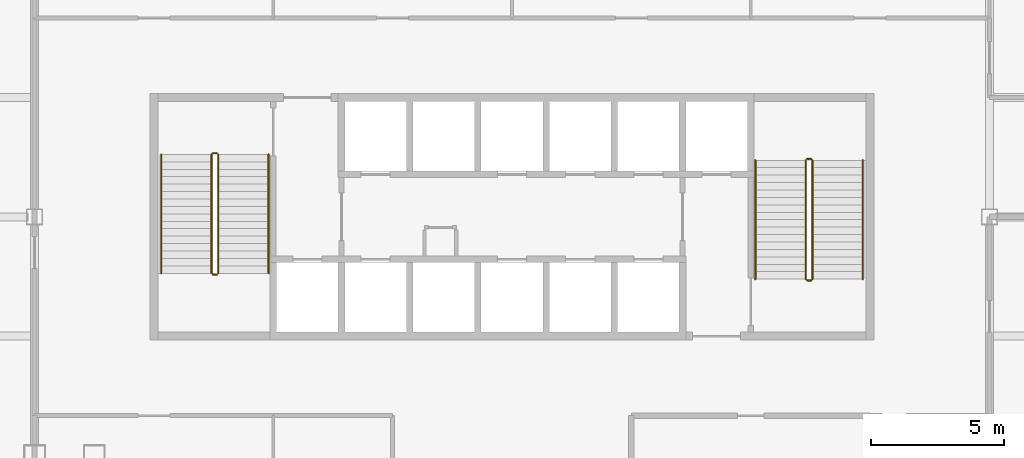
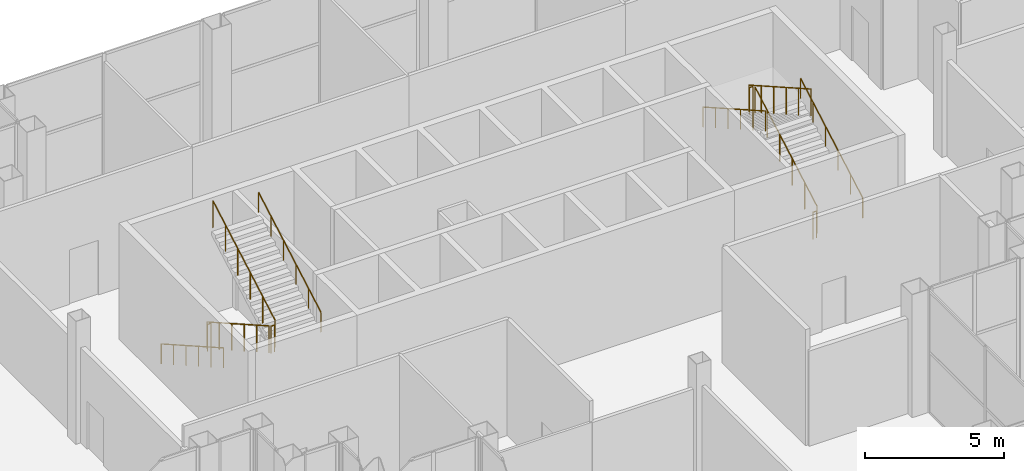
# One storey, part 18 of 18: 12 railings.
"""IFC4 building model written with IfcOpenShell, lengths in metres."""

from ifc_helpers import new_model, si_unit, direction, frame, origin, origin_2d, place, context, subcontext, project, spatial, circle, extrude, material, type_object, element, save


model = new_model("IFC4")

# Units and contexts
model_context = context("Model", 3, precision=1e-05, world=origin(), true_north=direction((0.0, 1.0)))
body_context = subcontext(model_context, "Body", "Model", "MODEL_VIEW")
ifc_project = project(units=[si_unit("LENGTHUNIT", "METRE"), si_unit("AREAUNIT", "SQUARE_METRE"), si_unit("VOLUMEUNIT", "CUBIC_METRE"), si_unit("PLANEANGLEUNIT", "RADIAN"), si_unit("MASSUNIT", "GRAM", prefix="KILO")], contexts=[model_context])

# Site, building, storey
site_placement = place(None, origin())
site = spatial("IfcSite", under=ifc_project, at=site_placement, CompositionType="ELEMENT")
building_placement = place(site_placement, origin())
building = spatial("IfcBuilding", under=site, at=building_placement, Name="Caravel Reach Hotel and Residences", CompositionType="ELEMENT")
storey_placement = place(building_placement, frame((0.0, 0.0, 145.199951171875)))
storey = spatial("IfcBuildingStorey", under=building, at=storey_placement, Name="L36", CompositionType="ELEMENT", Elevation=145.199951171875)

# Railings
ifc_material_1 = material(Name="Steel balustrade with glass infill", Category="steel")
railing_type_1 = type_object("IfcRailingType", Name="Guard 1200", PredefinedType="GUARDRAIL", material=ifc_material_1)
railing_1_placement = place(storey_placement, frame((20.175048828125, 29.35009765625, 0.158935546875)))
element("IfcRailing", 1, at=railing_1_placement, inside=storey, type_object=railing_type_1, Name="L36 ST-A stair guard 1", PredefinedType="GUARDRAIL", context=body_context, shape_type="SweptSolid", body=[
    extrude(circle(Radius=0.02392578125, at=origin_2d()), frame((0.0, 0.0, 1.17578125), z_axis=(0.0, -0.869825572089, 0.493359376256), x_axis=(1.0, 0.0, 0.0)), (0.0, 0.0, 1.0), 5.150390625),
    extrude(circle(Radius=0.02099609375, at=origin_2d()), origin(), (0.0, 0.0, 1.0), 1.15185546875),
    extrude(circle(Radius=0.02099609375, at=origin_2d()), frame((0.0, -0.89599609375, 0.50830078125)), (0.0, 0.0, 1.0), 1.15185546875),
    extrude(circle(Radius=0.02099609375, at=origin_2d()), frame((0.0, -1.7919921875, 1.016357421875)), (0.0, 0.0, 1.0), 1.15185546875),
    extrude(circle(Radius=0.02099609375, at=origin_2d()), frame((0.0, -2.68798828125, 1.524658203125)), (0.0, 0.0, 1.0), 1.15185546875),
    extrude(circle(Radius=0.02099609375, at=origin_2d()), frame((0.0, -3.583984375, 2.03271484375)), (0.0, 0.0, 1.0), 1.15185546875),
    extrude(circle(Radius=0.02099609375, at=origin_2d()), frame((0.0, -4.47998046875, 2.541015625)), (0.0, 0.0, 1.0), 1.15185546875),
])
railing_2_placement = place(storey_placement, frame((20.22509765625, 24.820068359375, 2.699951171875)))
element("IfcRailing", 2, at=railing_2_placement, inside=storey, type_object=railing_type_1, Name="L36 ST-A stair guard 2", PredefinedType="GUARDRAIL", context=body_context, shape_type="SweptSolid", body=[
    extrude(circle(Radius=0.02392578125, at=origin_2d()), frame((0.0, 0.0, 1.17578125), z_axis=(1.0, 0.0, 0.0), x_axis=(0.0, 1.0, 0.0)), (0.0, 0.0, 1.0), 0.14990234375),
    extrude(circle(Radius=0.02099609375, at=origin_2d()), origin(), (0.0, 0.0, 1.0), 1.15185546875),
    extrude(circle(Radius=0.02099609375, at=origin_2d()), frame((0.14990234375, 0.0, 0.0)), (0.0, 0.0, 1.0), 1.15185546875),
])
railing_3_placement = place(storey_placement, frame((20.425048828125, 24.8701171875, 2.85888671875)))
element("IfcRailing", 3, at=railing_3_placement, inside=storey, type_object=railing_type_1, Name="L36 ST-A stair guard 3", PredefinedType="GUARDRAIL", context=body_context, shape_type="SweptSolid", body=[
    extrude(circle(Radius=0.02392578125, at=origin_2d()), frame((0.0, 0.0, 1.17578125), z_axis=(0.0, 0.869805229919, 0.49339523914), x_axis=(-1.0, 0.0, 0.0)), (0.0, 0.0, 1.0), 5.150634765625),
    extrude(circle(Radius=0.02099609375, at=origin_2d()), origin(), (0.0, 0.0, 1.0), 1.15185546875),
    extrude(circle(Radius=0.02099609375, at=origin_2d()), frame((0.0, 0.89599609375, 0.50830078125)), (0.0, 0.0, 1.0), 1.15185546875),
    extrude(circle(Radius=0.02099609375, at=origin_2d()), frame((0.0, 1.7919921875, 1.0166015625)), (0.0, 0.0, 1.0), 1.15185546875),
    extrude(circle(Radius=0.02099609375, at=origin_2d()), frame((0.0, 2.68798828125, 1.524658203125)), (0.0, 0.0, 1.0), 1.15185546875),
    extrude(circle(Radius=0.02099609375, at=origin_2d()), frame((0.0, 3.583984375, 2.032958984375)), (0.0, 0.0, 1.0), 1.15185546875),
    extrude(circle(Radius=0.02099609375, at=origin_2d()), frame((0.0, 4.47998046875, 2.541259765625)), (0.0, 0.0, 1.0), 1.15185546875),
])
railing_4_placement = place(storey_placement, frame((20.22509765625, 29.39990234375, 0.0)))
element("IfcRailing", 4, at=railing_4_placement, inside=storey, type_object=railing_type_1, Name="L36 ST-A stair guard 4", PredefinedType="GUARDRAIL", context=body_context, shape_type="SweptSolid", body=[
    extrude(circle(Radius=0.02392578125, at=origin_2d()), frame((0.0, 0.0, 1.17578125), z_axis=(1.0, 0.0, 0.0), x_axis=(0.0, 1.0, 0.0)), (0.0, 0.0, 1.0), 0.14990234375),
    extrude(circle(Radius=0.02099609375, at=origin_2d()), origin(), (0.0, 0.0, 1.0), 1.15185546875),
    extrude(circle(Radius=0.02099609375, at=origin_2d()), frame((0.14990234375, 0.0, 0.0)), (0.0, 0.0, 1.0), 1.15185546875),
])
railing_5_placement = place(storey_placement, frame((42.824951171875, 24.64990234375, 0.158935546875)))
element("IfcRailing", 5, at=railing_5_placement, inside=storey, type_object=railing_type_1, Name="L36 ST-B stair guard 1", PredefinedType="GUARDRAIL", context=body_context, shape_type="SweptSolid", body=[
    extrude(circle(Radius=0.02392578125, at=origin_2d()), frame((0.0, 0.0, 1.17578125), z_axis=(0.0, 0.869825572089, 0.493359376256), x_axis=(-1.0, 0.0, 0.0)), (0.0, 0.0, 1.0), 5.150390625),
    extrude(circle(Radius=0.02099609375, at=origin_2d()), origin(), (0.0, 0.0, 1.0), 1.15185546875),
    extrude(circle(Radius=0.02099609375, at=origin_2d()), frame((0.0, 0.89599609375, 0.50830078125)), (0.0, 0.0, 1.0), 1.15185546875),
    extrude(circle(Radius=0.02099609375, at=origin_2d()), frame((0.0, 1.7919921875, 1.016357421875)), (0.0, 0.0, 1.0), 1.15185546875),
    extrude(circle(Radius=0.02099609375, at=origin_2d()), frame((0.0, 2.68798828125, 1.524658203125)), (0.0, 0.0, 1.0), 1.15185546875),
    extrude(circle(Radius=0.02099609375, at=origin_2d()), frame((0.0, 3.583984375, 2.03271484375)), (0.0, 0.0, 1.0), 1.15185546875),
    extrude(circle(Radius=0.02099609375, at=origin_2d()), frame((0.0, 4.47998046875, 2.541015625)), (0.0, 0.0, 1.0), 1.15185546875),
])
railing_6_placement = place(storey_placement, frame((42.77490234375, 29.179931640625, 2.699951171875)))
element("IfcRailing", 6, at=railing_6_placement, inside=storey, type_object=railing_type_1, Name="L36 ST-B stair guard 2", PredefinedType="GUARDRAIL", context=body_context, shape_type="SweptSolid", body=[
    extrude(circle(Radius=0.02392578125, at=origin_2d()), frame((0.0, 0.0, 1.17578125), z_axis=(-1.0, 0.0, 0.0), x_axis=(0.0, -1.0, 0.0)), (0.0, 0.0, 1.0), 0.14990234375),
    extrude(circle(Radius=0.02099609375, at=origin_2d()), origin(), (0.0, 0.0, 1.0), 1.15185546875),
    extrude(circle(Radius=0.02099609375, at=origin_2d()), frame((-0.14990234375, 0.0, 0.0)), (0.0, 0.0, 1.0), 1.15185546875),
])
railing_7_placement = place(storey_placement, frame((42.574951171875, 29.1298828125, 2.85888671875)))
element("IfcRailing", 7, at=railing_7_placement, inside=storey, type_object=railing_type_1, Name="L36 ST-B stair guard 3", PredefinedType="GUARDRAIL", context=body_context, shape_type="SweptSolid", body=[
    extrude(circle(Radius=0.02392578125, at=origin_2d()), frame((0.0, 0.0, 1.17578125), z_axis=(0.0, -0.869805229919, 0.49339523914), x_axis=(1.0, 0.0, 0.0)), (0.0, 0.0, 1.0), 5.150634765625),
    extrude(circle(Radius=0.02099609375, at=origin_2d()), origin(), (0.0, 0.0, 1.0), 1.15185546875),
    extrude(circle(Radius=0.02099609375, at=origin_2d()), frame((0.0, -0.89599609375, 0.50830078125)), (0.0, 0.0, 1.0), 1.15185546875),
    extrude(circle(Radius=0.02099609375, at=origin_2d()), frame((0.0, -1.7919921875, 1.0166015625)), (0.0, 0.0, 1.0), 1.15185546875),
    extrude(circle(Radius=0.02099609375, at=origin_2d()), frame((0.0, -2.68798828125, 1.524658203125)), (0.0, 0.0, 1.0), 1.15185546875),
    extrude(circle(Radius=0.02099609375, at=origin_2d()), frame((0.0, -3.583984375, 2.032958984375)), (0.0, 0.0, 1.0), 1.15185546875),
    extrude(circle(Radius=0.02099609375, at=origin_2d()), frame((0.0, -4.47998046875, 2.541259765625)), (0.0, 0.0, 1.0), 1.15185546875),
])
railing_8_placement = place(storey_placement, frame((42.77490234375, 24.60009765625, 0.0)))
element("IfcRailing", 8, at=railing_8_placement, inside=storey, type_object=railing_type_1, Name="L36 ST-B stair guard 4", PredefinedType="GUARDRAIL", context=body_context, shape_type="SweptSolid", body=[
    extrude(circle(Radius=0.02392578125, at=origin_2d()), frame((0.0, 0.0, 1.17578125), z_axis=(-1.0, 0.0, 0.0), x_axis=(0.0, -1.0, 0.0)), (0.0, 0.0, 1.0), 0.14990234375),
    extrude(circle(Radius=0.02099609375, at=origin_2d()), origin(), (0.0, 0.0, 1.0), 1.15185546875),
    extrude(circle(Radius=0.02099609375, at=origin_2d()), frame((-0.14990234375, 0.0, 0.0)), (0.0, 0.0, 1.0), 1.15185546875),
])
ifc_material_2 = material(Name="Stainless steel handrail", Category="steel")
railing_type_2 = type_object("IfcRailingType", Name="Handrail 900", PredefinedType="HANDRAIL", material=ifc_material_2)
railing_9_placement = place(storey_placement, frame((18.27490234375, 29.35009765625, 0.158935546875)))
element("IfcRailing", 9, at=railing_9_placement, inside=storey, type_object=railing_type_2, Name="L36 ST-A stair handrail 1", PredefinedType="HANDRAIL", context=body_context, shape_type="SweptSolid", body=[
    extrude(circle(Radius=0.02392578125, at=origin_2d()), frame((0.0, 0.0, 0.8759765625), z_axis=(0.0, -0.869825572089, 0.493359376256), x_axis=(1.0, 0.0, 0.0)), (0.0, 0.0, 1.0), 5.150390625),
    extrude(circle(Radius=0.02099609375, at=origin_2d()), origin(), (0.0, 0.0, 1.0), 0.851806640625),
    extrude(circle(Radius=0.02099609375, at=origin_2d()), frame((0.0, -0.89599609375, 0.50830078125)), (0.0, 0.0, 1.0), 0.851806640625),
    extrude(circle(Radius=0.02099609375, at=origin_2d()), frame((0.0, -1.7919921875, 1.016357421875)), (0.0, 0.0, 1.0), 0.851806640625),
    extrude(circle(Radius=0.02099609375, at=origin_2d()), frame((0.0, -2.68798828125, 1.524658203125)), (0.0, 0.0, 1.0), 0.851806640625),
    extrude(circle(Radius=0.02099609375, at=origin_2d()), frame((0.0, -3.583984375, 2.03271484375)), (0.0, 0.0, 1.0), 0.851806640625),
    extrude(circle(Radius=0.02099609375, at=origin_2d()), frame((0.0, -4.47998046875, 2.541015625)), (0.0, 0.0, 1.0), 0.851806640625),
])
railing_10_placement = place(storey_placement, frame((22.324951171875, 24.8701171875, 2.85888671875)))
element("IfcRailing", 10, at=railing_10_placement, inside=storey, type_object=railing_type_2, Name="L36 ST-A stair handrail 2", PredefinedType="HANDRAIL", context=body_context, shape_type="SweptSolid", body=[
    extrude(circle(Radius=0.02392578125, at=origin_2d()), frame((0.0, 0.0, 0.8759765625), z_axis=(0.0, 0.869805229919, 0.49339523914), x_axis=(-1.0, 0.0, 0.0)), (0.0, 0.0, 1.0), 5.150634765625),
    extrude(circle(Radius=0.02099609375, at=origin_2d()), origin(), (0.0, 0.0, 1.0), 0.851806640625),
    extrude(circle(Radius=0.02099609375, at=origin_2d()), frame((0.0, 0.89599609375, 0.50830078125)), (0.0, 0.0, 1.0), 0.851806640625),
    extrude(circle(Radius=0.02099609375, at=origin_2d()), frame((0.0, 1.7919921875, 1.0166015625)), (0.0, 0.0, 1.0), 0.851806640625),
    extrude(circle(Radius=0.02099609375, at=origin_2d()), frame((0.0, 2.68798828125, 1.524658203125)), (0.0, 0.0, 1.0), 0.851806640625),
    extrude(circle(Radius=0.02099609375, at=origin_2d()), frame((0.0, 3.583984375, 2.032958984375)), (0.0, 0.0, 1.0), 0.851806640625),
    extrude(circle(Radius=0.02099609375, at=origin_2d()), frame((0.0, 4.47998046875, 2.541259765625)), (0.0, 0.0, 1.0), 0.851806640625),
])
railing_11_placement = place(storey_placement, frame((44.72509765625, 24.64990234375, 0.158935546875)))
element("IfcRailing", 11, at=railing_11_placement, inside=storey, type_object=railing_type_2, Name="L36 ST-B stair handrail 1", PredefinedType="HANDRAIL", context=body_context, shape_type="SweptSolid", body=[
    extrude(circle(Radius=0.02392578125, at=origin_2d()), frame((0.0, 0.0, 0.8759765625), z_axis=(0.0, 0.869825572089, 0.493359376256), x_axis=(-1.0, 0.0, 0.0)), (0.0, 0.0, 1.0), 5.150390625),
    extrude(circle(Radius=0.02099609375, at=origin_2d()), origin(), (0.0, 0.0, 1.0), 0.851806640625),
    extrude(circle(Radius=0.02099609375, at=origin_2d()), frame((0.0, 0.89599609375, 0.50830078125)), (0.0, 0.0, 1.0), 0.851806640625),
    extrude(circle(Radius=0.02099609375, at=origin_2d()), frame((0.0, 1.7919921875, 1.016357421875)), (0.0, 0.0, 1.0), 0.851806640625),
    extrude(circle(Radius=0.02099609375, at=origin_2d()), frame((0.0, 2.68798828125, 1.524658203125)), (0.0, 0.0, 1.0), 0.851806640625),
    extrude(circle(Radius=0.02099609375, at=origin_2d()), frame((0.0, 3.583984375, 2.03271484375)), (0.0, 0.0, 1.0), 0.851806640625),
    extrude(circle(Radius=0.02099609375, at=origin_2d()), frame((0.0, 4.47998046875, 2.541015625)), (0.0, 0.0, 1.0), 0.851806640625),
])
railing_12_placement = place(storey_placement, frame((40.675048828125, 29.1298828125, 2.85888671875)))
element("IfcRailing", 12, at=railing_12_placement, inside=storey, type_object=railing_type_2, Name="L36 ST-B stair handrail 2", PredefinedType="HANDRAIL", context=body_context, shape_type="SweptSolid", body=[
    extrude(circle(Radius=0.02392578125, at=origin_2d()), frame((0.0, 0.0, 0.8759765625), z_axis=(0.0, -0.869805229919, 0.49339523914), x_axis=(1.0, 0.0, 0.0)), (0.0, 0.0, 1.0), 5.150634765625),
    extrude(circle(Radius=0.02099609375, at=origin_2d()), origin(), (0.0, 0.0, 1.0), 0.851806640625),
    extrude(circle(Radius=0.02099609375, at=origin_2d()), frame((0.0, -0.89599609375, 0.50830078125)), (0.0, 0.0, 1.0), 0.851806640625),
    extrude(circle(Radius=0.02099609375, at=origin_2d()), frame((0.0, -1.7919921875, 1.0166015625)), (0.0, 0.0, 1.0), 0.851806640625),
    extrude(circle(Radius=0.02099609375, at=origin_2d()), frame((0.0, -2.68798828125, 1.524658203125)), (0.0, 0.0, 1.0), 0.851806640625),
    extrude(circle(Radius=0.02099609375, at=origin_2d()), frame((0.0, -3.583984375, 2.032958984375)), (0.0, 0.0, 1.0), 0.851806640625),
    extrude(circle(Radius=0.02099609375, at=origin_2d()), frame((0.0, -4.47998046875, 2.541259765625)), (0.0, 0.0, 1.0), 0.851806640625),
])

save(model, "model.ifc")
